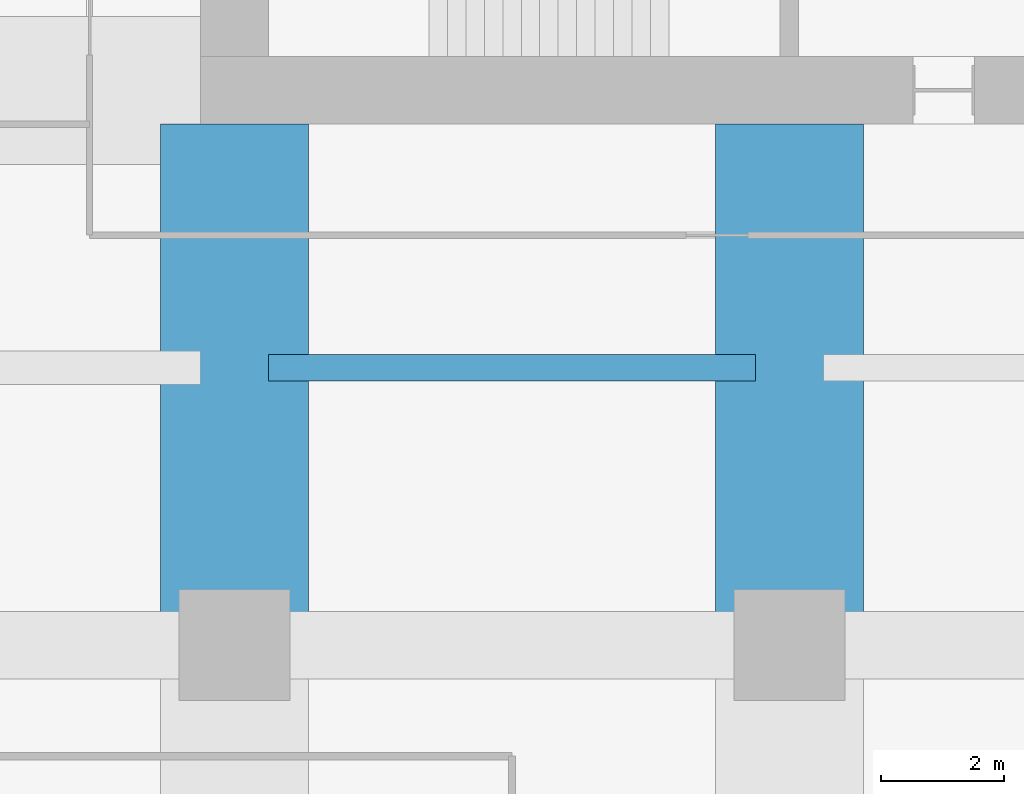
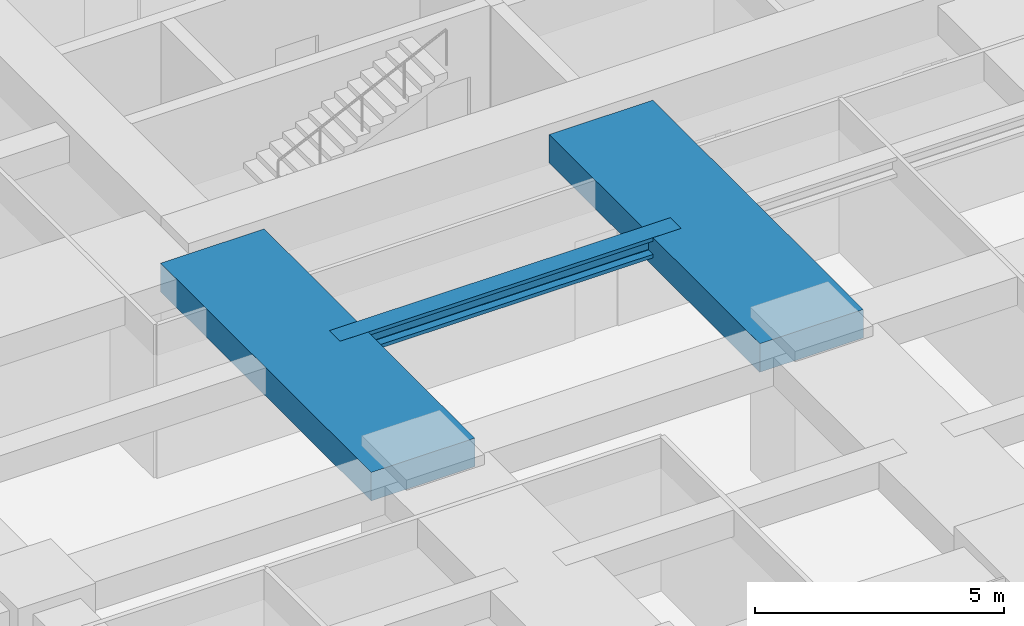
# One storey, part 8 of 42: 3 beams.
"""IFC4 building model written with IfcOpenShell, lengths in metres."""

from ifc_helpers import new_model, si_unit, direction, frame, origin, origin_2d, place, context, subcontext, project, spatial, rectangle, i_section, extrude, material, material_profile, profile_set, type_object, element, save


model = new_model("IFC4")

# Units and contexts
model_context = context("Model", 3, precision=1e-05, world=origin(), true_north=direction((0.0, 1.0)))
body_context = subcontext(model_context, "Body", "Model", "MODEL_VIEW")
ifc_project = project(units=[si_unit("LENGTHUNIT", "METRE"), si_unit("AREAUNIT", "SQUARE_METRE"), si_unit("VOLUMEUNIT", "CUBIC_METRE"), si_unit("PLANEANGLEUNIT", "RADIAN"), si_unit("MASSUNIT", "GRAM", prefix="KILO")], contexts=[model_context])

# Site, building, storey
site_placement = place(None, origin())
site = spatial("IfcSite", under=ifc_project, at=site_placement, CompositionType="ELEMENT")
building_placement = place(site_placement, origin())
building = spatial("IfcBuilding", under=site, at=building_placement, Name="Zorevar Civic Tower", CompositionType="ELEMENT")
storey_placement = place(building_placement, frame((0.0, 0.0, 149.0)))
storey = spatial("IfcBuildingStorey", under=building, at=storey_placement, Name="L36", CompositionType="ELEMENT", Elevation=149.0)

# Beams
ifc_material_1 = material(Name="Concrete C50/60", Category="concrete")
ifc_material_profile_1 = material_profile(ifc_material_1, rectangle(XDim=2.39990234375, YDim=0.699951171875, at=origin_2d()), Name="RC 2400x700")
ifc_profile_set_1 = profile_set([ifc_material_profile_1], Name="Concrete C50/60")
beam_type_1 = type_object("IfcBeamType", Name="Beam RC 2400x700", PredefinedType="BEAM", material=ifc_profile_set_1)
for number, where, z_axis, x_axis, name in (
    (1, (18.0, 9.0, 3.39990234375), (0.0, 1.0, 0.0), (-1.0, 0.0, 0.0), "Girder L37"),
    (2, (27.0, 9.0, 3.39990234375), (0.0, 1.0, 0.0), (-1.0, 0.0, 0.0), "Girder L37"),
):
    element("IfcBeam", number, at=place(storey_placement, frame(where, z_axis=z_axis, x_axis=x_axis)), inside=storey, type_object=beam_type_1, Name=name, PredefinedType="BEAM", context=body_context, shape_type="SweptSolid", body=[
        extrude(rectangle(XDim=2.39990234375, YDim=0.699951171875, at=origin_2d()), origin(), (0.0, 0.0, 1.0), 8.449951171875),
    ])
ifc_material_2 = material(Name="Steel S460M (HISTAR 460)", Category="steel")
ifc_material_profile_2 = material_profile(ifc_material_2, i_section(OverallWidth=0.431884765625, OverallDepth=0.498046875, WebThickness=0.0556640625, FlangeThickness=0.0888671875, FilletRadius=0.014892578125, at=origin_2d()), Name="HD 400x744")
ifc_profile_set_2 = profile_set([ifc_material_profile_2], Name="Steel S460M (HISTAR 460)")
beam_type_2 = type_object("IfcBeamType", Name="Core bay beam HD 400x744", PredefinedType="BEAM", material=ifc_profile_set_2)
beam_placement = place(storey_placement, frame((18.550048828125, 13.5, 3.5009765625), z_axis=(1.0, 0.0, 0.0), x_axis=(0.0, 1.0, 0.0)))
element("IfcBeam", 3, at=beam_placement, inside=storey, type_object=beam_type_2, Name="Secondary beam L37", PredefinedType="BEAM", context=body_context, shape_type="SweptSolid", body=[
    extrude(i_section(OverallWidth=0.431884765625, OverallDepth=0.498046875, WebThickness=0.0556640625, FlangeThickness=0.0888671875, FilletRadius=0.014892578125, at=origin_2d()), origin(), (0.0, 0.0, 1.0), 7.89990234375),
])

save(model, "model.ifc")
